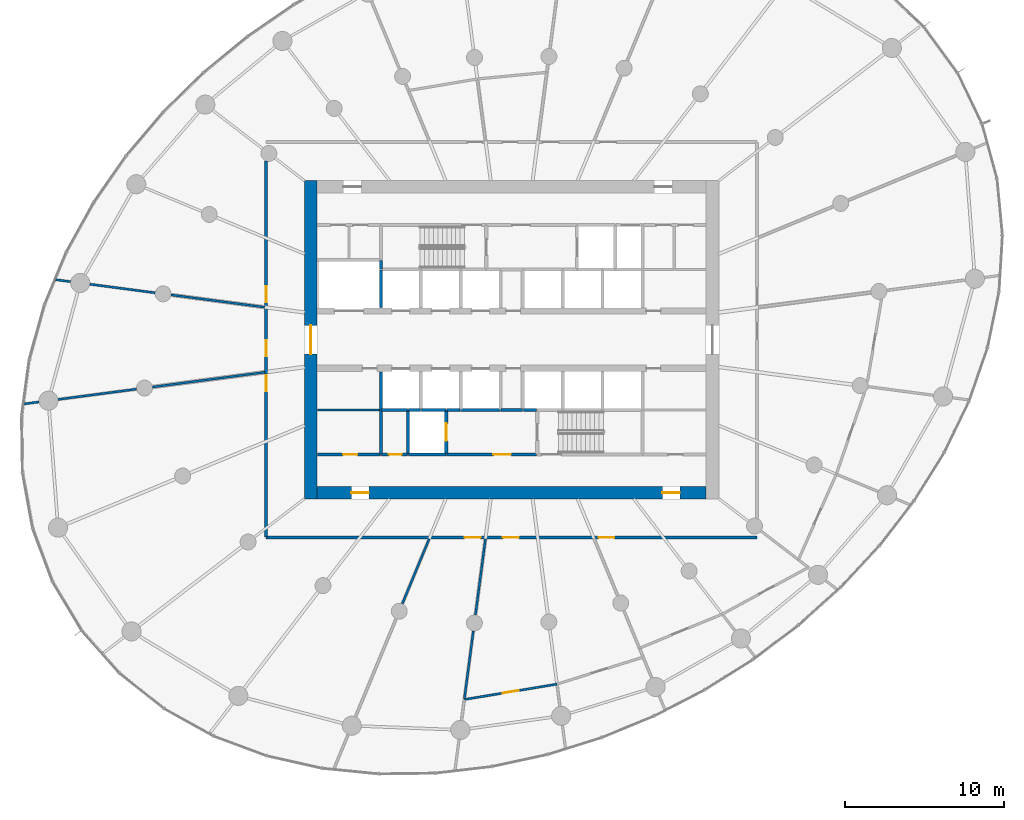
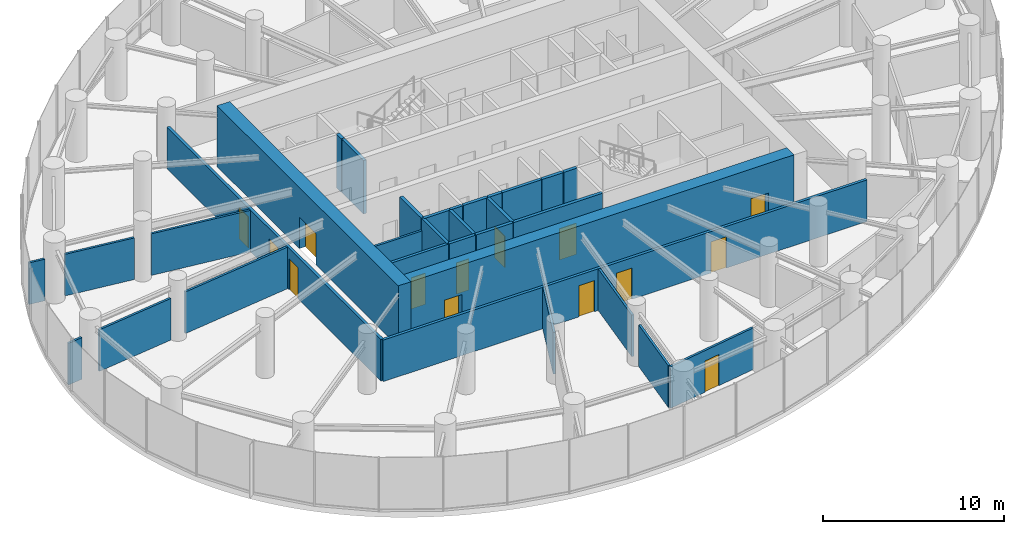
# One storey, part 10 of 17: 32 walls, 14 doors, 14 openings.
"""IFC4 building model written with IfcOpenShell, lengths in metres."""

from ifc_helpers import new_model, si_unit, direction, frame, frame_2d, origin, place, context, subcontext, project, spatial, rectangle, extrude, source, transform, mapped, material, layer, layer_set, type_object, element, fill, save


model = new_model("IFC4")

# Units and contexts
model_context = context("Model", 3, precision=1e-05, world=origin(), true_north=direction((0.0, 1.0)))
body_context = subcontext(model_context, "Body", "Model", "MODEL_VIEW")
ifc_project = project(units=[si_unit("LENGTHUNIT", "METRE"), si_unit("AREAUNIT", "SQUARE_METRE"), si_unit("VOLUMEUNIT", "CUBIC_METRE"), si_unit("PLANEANGLEUNIT", "RADIAN"), si_unit("MASSUNIT", "GRAM", prefix="KILO")], contexts=[model_context])

# Site, building, storey
site_placement = place(None, origin())
site = spatial("IfcSite", under=ifc_project, at=site_placement, CompositionType="ELEMENT")
building_placement = place(site_placement, origin())
building = spatial("IfcBuilding", under=site, at=building_placement, Name="Spindrift Exchange Tower", CompositionType="ELEMENT")
storey_placement = place(building_placement, frame((0.0, 0.0, 124.89990234375)))
storey = spatial("IfcBuildingStorey", under=building, at=storey_placement, Name="L29", CompositionType="ELEMENT", Elevation=124.89990234375)

# Wall, opening, door
ifc_material_1 = material(Name="Concrete 65 MPa", Category="concrete")
ifc_layer_1 = layer(ifc_material_1, 0.800048828125)
ifc_layer_set_1 = layer_set([ifc_layer_1], Name="RC Core Wall 800 Concrete 65 MPa")
wall_type_1 = type_object("IfcWallType", Name="RC Core Wall 800 Concrete 65 MPa", PredefinedType="SHEAR", material=ifc_layer_set_1)
wall_1_placement = place(storey_placement, frame((39.39990234375, 58.0, 0.0), z_axis=(0.0, 0.0, 1.0), x_axis=(0.0, -1.0, 0.0)))
wall_1 = element("IfcWall", 1, at=wall_1_placement, inside=storey, type_object=wall_type_1, Name="Core wall W L29", PredefinedType="SHEAR", context=body_context, shape_type="SweptSolid", body=[
    extrude(rectangle(XDim=20.0, YDim=0.800048828125, at=frame_2d((10.0, 0.0))), origin(), (0.0, 0.0, 1.0), 4.10009765625),
])
opening_1_placement = place(wall_1_placement, frame((9.10009765625, 0.0, 0.0)))
opening_1 = element("IfcOpeningElement", 2, at=opening_1_placement, cuts=wall_1, Name="Opening L29-D1", PredefinedType="OPENING", context=body_context, shape_type="SweptSolid", body=[
    extrude(rectangle(XDim=1.800048828125, YDim=2.10009765625, at=frame_2d((0.89990234375, 1.050048828125))), frame((0.0, 0.409912109375, 0.0), z_axis=(0.0, -1.0, 0.0), x_axis=(1.0, 0.0, 0.0)), (0.0, 0.0, 1.0), 0.820068359375),
])
ifc_material_2 = material(Name="Timber-core fire door", Category="wood")
door_type_1 = type_object("IfcDoorType", Name="DR-LOBBY-1800", OperationType="NOTDEFINED", PredefinedType="DOOR", material=ifc_material_2)
shared_shape_1 = source(origin(), body_context, "Body", "SweptSolid", [
    extrude(rectangle(XDim=1.800048828125, YDim=2.10009765625, at=frame_2d((0.89990234375, 1.050048828125))), frame((0.0, 0.02490234375, 0.0), z_axis=(0.0, -1.0, 0.0), x_axis=(1.0, 0.0, 0.0)), (0.0, 0.0, 1.0), 0.050048828125),
])
door_1_placement = place(opening_1_placement, origin())
door_1 = element("IfcDoor", 3, at=door_1_placement, inside=storey, type_object=door_type_1, Name="L29 Lobby door 1", OperationType="SINGLE_SWING_RIGHT", OverallHeight=2.10009765625, OverallWidth=1.800048828125, PredefinedType="DOOR", context=body_context, shape_type="MappedRepresentation", body=[
    mapped(shared_shape_1, transform((0.0, 0.0, 0.0), scale=1.0)),
])
fill(opening_1, door_1)

# Wall, openings, doors
wall_2_placement = place(storey_placement, frame((39.800048828125, 38.39990234375, 0.0), z_axis=(0.0, 0.0, 1.0), x_axis=(1.0, 0.0, 0.0)))
wall_2 = element("IfcWall", 4, at=wall_2_placement, inside=storey, type_object=wall_type_1, Name="Core wall S L29", PredefinedType="SHEAR", context=body_context, shape_type="SweptSolid", body=[
    extrude(rectangle(XDim=24.39990234375, YDim=0.800048828125, at=frame_2d((12.199951171875, 0.0))), origin(), (0.0, 0.0, 1.0), 4.10009765625),
])
opening_2_placement = place(wall_2_placement, frame((21.64990234375, 0.0, 0.0)))
opening_2 = element("IfcOpeningElement", 5, at=opening_2_placement, cuts=wall_2, Name="Opening L29-D22", PredefinedType="OPENING", context=body_context, shape_type="SweptSolid", body=[
    extrude(rectangle(XDim=1.10009765625, YDim=2.10009765625, at=frame_2d((0.550048828125, 1.050048828125))), frame((0.0, 0.409912109375, 0.0), z_axis=(0.0, -1.0, 0.0), x_axis=(1.0, 0.0, 0.0)), (0.0, 0.0, 1.0), 0.820068359375),
])
opening_3_placement = place(wall_2_placement, frame((2.14990234375, 0.0, 0.0)))
opening_3 = element("IfcOpeningElement", 6, at=opening_3_placement, cuts=wall_2, Name="Opening L29-D23", PredefinedType="OPENING", context=body_context, shape_type="SweptSolid", body=[
    extrude(rectangle(XDim=1.10009765625, YDim=2.10009765625, at=frame_2d((0.550048828125, 1.050048828125))), frame((0.0, 0.409912109375, 0.0), z_axis=(0.0, -1.0, 0.0), x_axis=(1.0, 0.0, 0.0)), (0.0, 0.0, 1.0), 0.820068359375),
])
ifc_material_3 = material(Name="Steel fire door", Category="steel")
door_type_2 = type_object("IfcDoorType", Name="DR-STAIR-1100", OperationType="NOTDEFINED", PredefinedType="DOOR", material=ifc_material_3)
shared_shape_2 = source(origin(), body_context, "Body", "SweptSolid", [
    extrude(rectangle(XDim=1.10009765625, YDim=2.10009765625, at=frame_2d((0.550048828125, 1.050048828125))), frame((0.0, 0.02490234375, 0.0), z_axis=(0.0, -1.0, 0.0), x_axis=(1.0, 0.0, 0.0)), (0.0, 0.0, 1.0), 0.050048828125),
])
door_2_placement = place(opening_2_placement, origin())
door_2 = element("IfcDoor", 7, at=door_2_placement, inside=storey, type_object=door_type_2, Name="L29 Stair door 22", OperationType="SINGLE_SWING_LEFT", OverallHeight=2.10009765625, OverallWidth=1.10009765625, PredefinedType="DOOR", context=body_context, shape_type="MappedRepresentation", body=[
    mapped(shared_shape_2, transform((0.0, 0.0, 0.0), scale=1.0)),
])
fill(opening_2, door_2)
door_3_placement = place(opening_3_placement, origin())
door_3 = element("IfcDoor", 8, at=door_3_placement, inside=storey, type_object=door_type_2, Name="L29 Stair door 23", OperationType="SINGLE_SWING_RIGHT", OverallHeight=2.10009765625, OverallWidth=1.10009765625, PredefinedType="DOOR", context=body_context, shape_type="MappedRepresentation", body=[
    mapped(shared_shape_2, transform((0.0, 0.0, 0.0), scale=1.0)),
])
fill(opening_3, door_3)

# Wall, opening, door
ifc_material_4 = material(Name="Fire-rated plasterboard partition", Category="gypsum")
ifc_layer_2 = layer(ifc_material_4, 0.179931640625)
ifc_layer_set_2 = layer_set([ifc_layer_2], Name="W-CORR-180")
wall_type_2 = type_object("IfcWallType", Name="W-CORR-180", PredefinedType="PARTITIONING", material=ifc_layer_set_2)
wall_3_placement = place(storey_placement, frame((39.820068359375, 40.800048828125, 0.0), z_axis=(0.0, 0.0, 1.0), x_axis=(1.0, 0.0, 0.0)))
wall_3 = element("IfcWall", 9, at=wall_3_placement, inside=storey, type_object=wall_type_2, Name="L29 Partition wall 63", PredefinedType="PARTITIONING", context=body_context, shape_type="SweptSolid", body=[
    extrude(rectangle(XDim=3.949951171875, YDim=0.179931640625, at=frame_2d((1.97509765625, 0.0))), origin(), (0.0, 0.0, 1.0), 3.60009765625),
])
opening_4_placement = place(wall_3_placement, frame((1.60009765625, 0.0, 0.0)))
opening_4 = element("IfcOpeningElement", 10, at=opening_4_placement, cuts=wall_3, Name="Opening L29-D46", PredefinedType="OPENING", context=body_context, shape_type="SweptSolid", body=[
    extrude(rectangle(XDim=0.89990234375, YDim=2.10009765625, at=frame_2d((0.449951171875, 1.050048828125))), frame((0.0, 0.099853515625, 0.0), z_axis=(0.0, -1.0, 0.0), x_axis=(1.0, 0.0, 0.0)), (0.0, 0.0, 1.0), 0.199951171875),
])
ifc_material_5 = material(Name="Steel access door", Category="steel")
door_type_3 = type_object("IfcDoorType", Name="DR-RISER-900", OperationType="NOTDEFINED", PredefinedType="DOOR", material=ifc_material_5)
shared_shape_3 = source(origin(), body_context, "Body", "SweptSolid", [
    extrude(rectangle(XDim=0.89990234375, YDim=2.10009765625, at=frame_2d((0.449951171875, 1.050048828125))), frame((0.0, 0.02490234375, 0.0), z_axis=(0.0, -1.0, 0.0), x_axis=(1.0, 0.0, 0.0)), (0.0, 0.0, 1.0), 0.050048828125),
])
door_4_placement = place(opening_4_placement, origin())
door_4 = element("IfcDoor", 11, at=door_4_placement, inside=storey, type_object=door_type_3, Name="L29 Riser door 46", OperationType="SINGLE_SWING_LEFT", OverallHeight=2.10009765625, OverallWidth=0.89990234375, PredefinedType="DOOR", context=body_context, shape_type="MappedRepresentation", body=[
    mapped(shared_shape_3, transform((0.0, 0.0, 0.0), scale=1.0)),
])
fill(opening_4, door_4)

ifc_layer_3 = layer(ifc_material_4, 0.139892578125)
ifc_layer_set_3 = layer_set([ifc_layer_3], Name="W-PART-140")
wall_type_3 = type_object("IfcWallType", Name="W-PART-140", PredefinedType="PARTITIONING", material=ifc_layer_set_3)
wall_4_placement = place(storey_placement, frame((54.84423828125, 26.39599609375, 0.0), z_axis=(0.0, 0.0, 1.0), x_axis=(-0.986521231728, -0.16363330758, 0.0)))
wall_4 = element("IfcWall", 12, at=wall_4_placement, inside=storey, type_object=wall_type_3, Name="L29 Partition wall 72", PredefinedType="PARTITIONING", context=body_context, shape_type="SweptSolid", body=[
    extrude(rectangle(XDim=5.894775390625, YDim=0.139892578125, at=frame_2d((2.947265625, 0.0))), origin(), (0.0, 0.0, 1.0), 2.800048828125),
])
opening_5_placement = place(wall_4_placement, frame((2.44482421875, 0.0, 0.0)))
opening_5 = element("IfcOpeningElement", 13, at=opening_5_placement, cuts=wall_4, Name="Opening L29-D32", PredefinedType="OPENING", context=body_context, shape_type="SweptSolid", body=[
    extrude(rectangle(XDim=1.0, YDim=2.10009765625, at=frame_2d((0.5, 1.050048828125))), frame((0.0, 0.079833984375, 0.0), z_axis=(0.0, -1.0, 0.0), x_axis=(1.0, 0.0, 0.0)), (0.0, 0.0, 1.0), 0.159912109375),
])
door_type_4 = type_object("IfcDoorType", Name="DR-ROOM-1000", OperationType="NOTDEFINED", PredefinedType="DOOR", material=ifc_material_2)
shared_shape_4 = source(origin(), body_context, "Body", "SweptSolid", [
    extrude(rectangle(XDim=1.0, YDim=2.10009765625, at=frame_2d((0.5, 1.050048828125))), frame((0.0, 0.02490234375, 0.0), z_axis=(0.0, -1.0, 0.0), x_axis=(1.0, 0.0, 0.0)), (0.0, 0.0, 1.0), 0.050048828125),
])
door_5_placement = place(opening_5_placement, origin())
door_5 = element("IfcDoor", 14, at=door_5_placement, inside=storey, type_object=door_type_4, Name="L29 Door 32", OperationType="SINGLE_SWING_LEFT", OverallHeight=2.10009765625, OverallWidth=1.0, PredefinedType="DOOR", context=body_context, shape_type="MappedRepresentation", body=[
    mapped(shared_shape_4, transform((0.0, 0.0, 0.0), scale=1.0)),
])
fill(opening_5, door_5)

# Walls
wall_5_placement = place(storey_placement, frame((43.77001953125, 43.60009765625, 0.0), z_axis=(0.0, 0.0, 1.0), x_axis=(-1.0, 0.0, 0.0)))
element("IfcWall", 15, at=wall_5_placement, inside=storey, type_object=wall_type_3, Name="L29 Partition wall 93", PredefinedType="PARTITIONING", context=body_context, shape_type="SweptSolid", body=[
    extrude(rectangle(XDim=3.949951171875, YDim=0.139892578125, at=frame_2d((1.97509765625, 0.0))), origin(), (0.0, 0.0, 1.0), 2.800048828125),
])
ifc_layer_4 = layer(ifc_material_4, 0.139892578125)
ifc_layer_set_4 = layer_set([ifc_layer_4], Name="W-PLANT-140")
wall_type_4 = type_object("IfcWallType", Name="W-PLANT-140", PredefinedType="PARTITIONING", material=ifc_layer_set_4)
wall_6_placement = place(storey_placement, frame((36.510009765625, 45.960693359375, 0.0), z_axis=(0.0, 0.0, 1.0), x_axis=(-0.99144622305, -0.130515848849, 0.0)))
element("IfcWall", 16, at=wall_6_placement, inside=storey, type_object=wall_type_4, Name="L29 Partition wall 67", PredefinedType="PARTITIONING", context=body_context, shape_type="SweptSolid", body=[
    extrude(rectangle(XDim=7.1044921875, YDim=0.139892578125, at=frame_2d((3.55224609375, 0.0))), origin(), (0.0, 0.0, 1.0), 2.800048828125),
])
wall_7_placement = place(storey_placement, frame((36.510009765625, 50.039306640625, 0.0), z_axis=(0.0, 0.0, 1.0), x_axis=(-0.991445034615, 0.130524876315, 0.0)))
element("IfcWall", 17, at=wall_7_placement, inside=storey, type_object=wall_type_4, Name="L29 Partition wall 71", PredefinedType="PARTITIONING", context=body_context, shape_type="SweptSolid", body=[
    extrude(rectangle(XDim=5.923828125, YDim=0.139892578125, at=frame_2d((2.9619140625, 0.0))), origin(), (0.0, 0.0, 1.0), 2.800048828125),
])
wall_8_placement = place(storey_placement, frame((28.466064453125, 44.901611328125, 0.0), z_axis=(0.0, 0.0, 1.0), x_axis=(-0.991443414541, -0.130537181533, 0.0)))
element("IfcWall", 18, at=wall_8_placement, inside=storey, type_object=wall_type_4, Name="L29 Partition wall 80", PredefinedType="PARTITIONING", context=body_context, shape_type="SweptSolid", body=[
    extrude(rectangle(XDim=4.965576171875, YDim=0.139892578125, at=frame_2d((2.48291015625, 0.0))), origin(), (0.0, 0.0, 1.0), 2.800048828125),
])
wall_9_placement = place(storey_placement, frame((50.355712890625, 35.510009765625, 0.0), z_axis=(0.0, 0.0, 1.0), x_axis=(-0.130523979823, -0.991445152639, 0.0)))
element("IfcWall", 19, at=wall_9_placement, inside=storey, type_object=wall_type_4, Name="L29 Partition wall 82", PredefinedType="PARTITIONING", context=body_context, shape_type="SweptSolid", body=[
    extrude(rectangle(XDim=4.818359375, YDim=0.139892578125, at=frame_2d((2.4091796875, 0.0))), origin(), (0.0, 0.0, 1.0), 2.800048828125),
])
wall_10_placement = place(storey_placement, frame((46.826416015625, 35.510009765625, 0.0), z_axis=(0.0, 0.0, 1.0), x_axis=(-0.382672831764, -0.923883923353, 0.0)))
element("IfcWall", 20, at=wall_10_placement, inside=storey, type_object=wall_type_4, Name="L29 Partition wall 84", PredefinedType="PARTITIONING", context=body_context, shape_type="SweptSolid", body=[
    extrude(rectangle(XDim=4.410400390625, YDim=0.139892578125, at=frame_2d((2.205078125, 0.0))), origin(), (0.0, 0.0, 1.0), 2.800048828125),
])
wall_11_placement = place(storey_placement, frame((49.594970703125, 29.732666015625, 0.0), z_axis=(0.0, 0.0, 1.0), x_axis=(-0.130506335876, -0.991447475309, 0.0)))
element("IfcWall", 21, at=wall_11_placement, inside=storey, type_object=wall_type_4, Name="L29 Partition wall 89", PredefinedType="PARTITIONING", context=body_context, shape_type="SweptSolid", body=[
    extrude(rectangle(XDim=4.26513671875, YDim=0.139892578125, at=frame_2d((2.132568359375, 0.0))), origin(), (0.0, 0.0, 1.0), 2.800048828125),
])
wall_12_placement = place(storey_placement, frame((29.63671875, 50.944091796875, 0.0), z_axis=(0.0, 0.0, 1.0), x_axis=(-0.991445054296, 0.130524726824, 0.0)))
element("IfcWall", 22, at=wall_12_placement, inside=storey, type_object=wall_type_4, Name="L29 Partition wall 90", PredefinedType="PARTITIONING", context=body_context, shape_type="SweptSolid", body=[
    extrude(rectangle(XDim=4.137451171875, YDim=0.139892578125, at=frame_2d((2.06884765625, 0.0))), origin(), (0.0, 0.0, 1.0), 2.800048828125),
])
wall_13_placement = place(storey_placement, frame((24.336181640625, 51.64208984375, 0.0), z_axis=(0.0, 0.0, 1.0), x_axis=(-0.991449038396, 0.130494460661, 0.0)))
element("IfcWall", 23, at=wall_13_placement, inside=storey, type_object=wall_type_4, Name="L29 Partition wall 112", PredefinedType="PARTITIONING", context=body_context, shape_type="SweptSolid", body=[
    extrude(rectangle(XDim=0.948486328125, YDim=0.139892578125, at=frame_2d((0.47412109375, 0.0))), origin(), (0.0, 0.0, 1.0), 2.800048828125),
])
wall_14_placement = place(storey_placement, frame((22.344482421875, 44.095703125, 0.0), z_axis=(0.0, 0.0, 1.0), x_axis=(-0.991460558593, -0.130406904551, 0.0)))
element("IfcWall", 24, at=wall_14_placement, inside=storey, type_object=wall_type_4, Name="L29 Partition wall 114", PredefinedType="PARTITIONING", context=body_context, shape_type="SweptSolid", body=[
    extrude(rectangle(XDim=0.928466796875, YDim=0.139892578125, at=frame_2d((0.46435546875, 0.0))), origin(), (0.0, 0.0, 1.0), 2.800048828125),
])

# Wall, openings, doors
ifc_layer_5 = layer(ifc_material_4, 0.179931640625)
ifc_layer_set_5 = layer_set([ifc_layer_5], Name="W-PLANT-180")
wall_type_5 = type_object("IfcWallType", Name="W-PLANT-180", PredefinedType="PARTITIONING", material=ifc_layer_set_5)
wall_15_placement = place(storey_placement, frame((67.39990234375, 35.60009765625, 0.0), z_axis=(0.0, 0.0, 1.0), x_axis=(-1.0, 0.0, 0.0)))
wall_15 = element("IfcWall", 25, at=wall_15_placement, inside=storey, type_object=wall_type_5, Name="L29 Partition wall 57", PredefinedType="PARTITIONING", context=body_context, shape_type="SweptSolid", body=[
    extrude(rectangle(XDim=30.7998046875, YDim=0.179931640625, at=frame_2d((15.39990234375, 0.0))), origin(), (0.0, 0.0, 1.0), 2.800048828125),
])
opening_6_placement = place(wall_15_placement, frame((17.35009765625, 0.0, 0.0)))
opening_6 = element("IfcOpeningElement", 26, at=opening_6_placement, cuts=wall_15, Name="Opening L29-D30", PredefinedType="OPENING", context=body_context, shape_type="SweptSolid", body=[
    extrude(rectangle(XDim=1.0, YDim=2.10009765625, at=frame_2d((0.5, 1.050048828125))), frame((0.0, 0.099853515625, 0.0), z_axis=(0.0, -1.0, 0.0), x_axis=(1.0, 0.0, 0.0)), (0.0, 0.0, 1.0), 0.199951171875),
])
opening_7_placement = place(wall_15_placement, frame((14.949951171875, 0.0, 0.0)))
opening_7 = element("IfcOpeningElement", 27, at=opening_7_placement, cuts=wall_15, Name="Opening L29-D31", PredefinedType="OPENING", context=body_context, shape_type="SweptSolid", body=[
    extrude(rectangle(XDim=1.0, YDim=2.10009765625, at=frame_2d((0.5, 1.050048828125))), frame((0.0, 0.099853515625, 0.0), z_axis=(0.0, -1.0, 0.0), x_axis=(1.0, 0.0, 0.0)), (0.0, 0.0, 1.0), 0.199951171875),
])
opening_8_placement = place(wall_15_placement, frame((8.949951171875, 0.0, 0.0)))
opening_8 = element("IfcOpeningElement", 28, at=opening_8_placement, cuts=wall_15, Name="Opening L29-D34", PredefinedType="OPENING", context=body_context, shape_type="SweptSolid", body=[
    extrude(rectangle(XDim=1.0, YDim=2.10009765625, at=frame_2d((0.5, 1.050048828125))), frame((0.0, 0.099853515625, 0.0), z_axis=(0.0, -1.0, 0.0), x_axis=(1.0, 0.0, 0.0)), (0.0, 0.0, 1.0), 0.199951171875),
])
door_6_placement = place(opening_6_placement, origin())
door_6 = element("IfcDoor", 29, at=door_6_placement, inside=storey, type_object=door_type_4, Name="L29 Door 30", OperationType="SINGLE_SWING_LEFT", OverallHeight=2.10009765625, OverallWidth=1.0, PredefinedType="DOOR", context=body_context, shape_type="MappedRepresentation", body=[
    mapped(shared_shape_4, transform((0.0, 0.0, 0.0), scale=1.0)),
])
fill(opening_6, door_6)
door_7_placement = place(opening_7_placement, origin())
door_7 = element("IfcDoor", 30, at=door_7_placement, inside=storey, type_object=door_type_4, Name="L29 Door 31", OperationType="SINGLE_SWING_RIGHT", OverallHeight=2.10009765625, OverallWidth=1.0, PredefinedType="DOOR", context=body_context, shape_type="MappedRepresentation", body=[
    mapped(shared_shape_4, transform((0.0, 0.0, 0.0), scale=1.0)),
])
fill(opening_7, door_7)
door_8_placement = place(opening_8_placement, origin())
door_8 = element("IfcDoor", 31, at=door_8_placement, inside=storey, type_object=door_type_4, Name="L29 Door 34", OperationType="SINGLE_SWING_LEFT", OverallHeight=2.10009765625, OverallWidth=1.0, PredefinedType="DOOR", context=body_context, shape_type="MappedRepresentation", body=[
    mapped(shared_shape_4, transform((0.0, 0.0, 0.0), scale=1.0)),
])
fill(opening_8, door_8)

wall_16_placement = place(storey_placement, frame((36.60009765625, 35.6298828125, 0.0), z_axis=(0.0, 0.0, 1.0), x_axis=(0.0, 1.0, 0.0)))
wall_16 = element("IfcWall", 32, at=wall_16_placement, inside=storey, type_object=wall_type_5, Name="L29 Partition wall 60", PredefinedType="PARTITIONING", context=body_context, shape_type="SweptSolid", body=[
    extrude(rectangle(XDim=23.58251953125, YDim=0.179931640625, at=frame_2d((11.791259765625, 0.0))), origin(), (0.0, 0.0, 1.0), 2.800048828125),
])
opening_9_placement = place(wall_16_placement, frame((14.732421875, 0.0, 0.0)))
opening_9 = element("IfcOpeningElement", 33, at=opening_9_placement, cuts=wall_16, Name="Opening L29-D26", PredefinedType="OPENING", context=body_context, shape_type="SweptSolid", body=[
    extrude(rectangle(XDim=1.0, YDim=2.10009765625, at=frame_2d((0.5, 1.050048828125))), frame((0.0, 0.099853515625, 0.0), z_axis=(0.0, -1.0, 0.0), x_axis=(1.0, 0.0, 0.0)), (0.0, 0.0, 1.0), 0.199951171875),
])
opening_10_placement = place(wall_16_placement, frame((11.33251953125, 0.0, 0.0)))
opening_10 = element("IfcOpeningElement", 34, at=opening_10_placement, cuts=wall_16, Name="Opening L29-D28", PredefinedType="OPENING", context=body_context, shape_type="SweptSolid", body=[
    extrude(rectangle(XDim=1.0, YDim=2.10009765625, at=frame_2d((0.5, 1.050048828125))), frame((0.0, 0.099853515625, 0.0), z_axis=(0.0, -1.0, 0.0), x_axis=(1.0, 0.0, 0.0)), (0.0, 0.0, 1.0), 0.199951171875),
])
opening_11_placement = place(wall_16_placement, frame((9.132568359375, 0.0, 0.0)))
opening_11 = element("IfcOpeningElement", 35, at=opening_11_placement, cuts=wall_16, Name="Opening L29-D29", PredefinedType="OPENING", context=body_context, shape_type="SweptSolid", body=[
    extrude(rectangle(XDim=1.0, YDim=2.10009765625, at=frame_2d((0.5, 1.050048828125))), frame((0.0, 0.099853515625, 0.0), z_axis=(0.0, -1.0, 0.0), x_axis=(1.0, 0.0, 0.0)), (0.0, 0.0, 1.0), 0.199951171875),
])
door_9_placement = place(opening_9_placement, origin())
door_9 = element("IfcDoor", 36, at=door_9_placement, inside=storey, type_object=door_type_4, Name="L29 Door 26", OperationType="SINGLE_SWING_LEFT", OverallHeight=2.10009765625, OverallWidth=1.0, PredefinedType="DOOR", context=body_context, shape_type="MappedRepresentation", body=[
    mapped(shared_shape_4, transform((0.0, 0.0, 0.0), scale=1.0)),
])
fill(opening_9, door_9)
door_10_placement = place(opening_10_placement, origin())
door_10 = element("IfcDoor", 37, at=door_10_placement, inside=storey, type_object=door_type_4, Name="L29 Door 28", OperationType="SINGLE_SWING_LEFT", OverallHeight=2.10009765625, OverallWidth=1.0, PredefinedType="DOOR", context=body_context, shape_type="MappedRepresentation", body=[
    mapped(shared_shape_4, transform((0.0, 0.0, 0.0), scale=1.0)),
])
fill(opening_10, door_10)
door_11_placement = place(opening_11_placement, origin())
door_11 = element("IfcDoor", 38, at=door_11_placement, inside=storey, type_object=door_type_4, Name="L29 Door 29", OperationType="SINGLE_SWING_RIGHT", OverallHeight=2.10009765625, OverallWidth=1.0, PredefinedType="DOOR", context=body_context, shape_type="MappedRepresentation", body=[
    mapped(shared_shape_4, transform((0.0, 0.0, 0.0), scale=1.0)),
])
fill(opening_11, door_11)

# Walls
ifc_material_6 = material(Name="Concrete 40 MPa", Category="concrete")
ifc_layer_6 = layer(ifc_material_6, 0.199951171875)
ifc_layer_set_6 = layer_set([ifc_layer_6], Name="W-SHAFT-200")
wall_type_6 = type_object("IfcWallType", Name="W-SHAFT-200", PredefinedType="SOLIDWALL", material=ifc_layer_set_6)
for number, where, z_axis, x_axis, name in (
    (39, (43.800048828125, 43.60009765625, 0.0), (0.0, 0.0, 1.0), (0.0, -1.0, 0.0), "L29 Shaft wall 6"),
    (40, (45.5, 43.60009765625, 0.0), (0.0, 0.0, 1.0), (0.0, -1.0, 0.0), "L29 Shaft wall 7"),
):
    element("IfcWall", number, at=place(storey_placement, frame(where, z_axis=z_axis, x_axis=x_axis)), inside=storey, type_object=wall_type_6, Name=name, PredefinedType="SOLIDWALL", context=body_context, shape_type="SweptSolid", body=[
        extrude(rectangle(XDim=2.800048828125, YDim=0.199951171875, at=frame_2d((1.39990234375, 0.0))), origin(), (0.0, 0.0, 1.0), 3.60009765625),
    ])

# Wall, opening, door
wall_17_placement = place(storey_placement, frame((47.89990234375, 40.830078125, 0.0), z_axis=(0.0, 0.0, 1.0), x_axis=(0.0, 1.0, 0.0)))
wall_17 = element("IfcWall", 41, at=wall_17_placement, inside=storey, type_object=wall_type_6, Name="L29 Shaft wall 8", PredefinedType="SOLIDWALL", context=body_context, shape_type="SweptSolid", body=[
    extrude(rectangle(XDim=2.77001953125, YDim=0.199951171875, at=frame_2d((1.385009765625, 0.0))), origin(), (0.0, 0.0, 1.0), 3.60009765625),
])
opening_12_placement = place(wall_17_placement, frame((0.820068359375, 0.0, 0.0)))
opening_12 = element("IfcOpeningElement", 42, at=opening_12_placement, cuts=wall_17, Name="Opening L29-D10", PredefinedType="OPENING", context=body_context, shape_type="SweptSolid", body=[
    extrude(rectangle(XDim=1.10009765625, YDim=2.10009765625, at=frame_2d((0.550048828125, 1.050048828125))), frame((0.0, 0.10986328125, 0.0), z_axis=(0.0, -1.0, 0.0), x_axis=(1.0, 0.0, 0.0)), (0.0, 0.0, 1.0), 0.219970703125),
])
ifc_material_7 = material(Name="Stainless steel landing door", Category="steel")
door_type_5 = type_object("IfcDoorType", Name="DR-LANDING-1100-SL", OperationType="DOUBLE_DOOR_SLIDING", PredefinedType="USERDEFINED", material=ifc_material_7)
shared_shape_5 = source(origin(), body_context, "Body", "SweptSolid", [
    extrude(rectangle(XDim=1.10009765625, YDim=2.10009765625, at=frame_2d((0.550048828125, 1.050048828125))), frame((0.0, 0.02490234375, 0.0), z_axis=(0.0, -1.0, 0.0), x_axis=(1.0, 0.0, 0.0)), (0.0, 0.0, 1.0), 0.050048828125),
])
door_12_placement = place(opening_12_placement, origin())
door_12 = element("IfcDoor", 43, at=door_12_placement, inside=storey, type_object=door_type_5, Name="L29 Lift landing door 10", ObjectType="LANDING DOOR", OperationType="DOUBLE_DOOR_SLIDING", OverallHeight=2.10009765625, OverallWidth=1.10009765625, PredefinedType="USERDEFINED", context=body_context, shape_type="MappedRepresentation", body=[
    mapped(shared_shape_5, transform((0.0, 0.0, 0.0), scale=1.0)),
])
fill(opening_12, door_12)

# Walls
wall_18_placement = place(storey_placement, frame((48.800048828125, 43.60009765625, 0.0), z_axis=(0.0, 0.0, 1.0), x_axis=(1.0, 0.0, 0.0)))
element("IfcWall", 44, at=wall_18_placement, inside=storey, type_object=wall_type_6, Name="L29 Shaft wall 17", PredefinedType="SOLIDWALL", context=body_context, shape_type="SweptSolid", body=[
    extrude(rectangle(XDim=2.5, YDim=0.199951171875, at=frame_2d((1.25, 0.0))), origin(), (0.0, 0.0, 1.0), 3.60009765625),
])
wall_19_placement = place(storey_placement, frame((45.530029296875, 40.800048828125, 0.0), z_axis=(0.0, 0.0, 1.0), x_axis=(1.0, 0.0, 0.0)))
element("IfcWall", 45, at=wall_19_placement, inside=storey, type_object=wall_type_6, Name="L29 Shaft wall 21", PredefinedType="SOLIDWALL", context=body_context, shape_type="SweptSolid", body=[
    extrude(rectangle(XDim=2.340087890625, YDim=0.199951171875, at=frame_2d((1.169921875, 0.0))), origin(), (0.0, 0.0, 1.0), 3.60009765625),
])
wall_20_placement = place(storey_placement, frame((43.800048828125, 45.989990234375, 0.0), z_axis=(0.0, 0.0, 1.0), x_axis=(0.0, -1.0, 0.0)))
element("IfcWall", 46, at=wall_20_placement, inside=storey, type_object=wall_type_6, Name="L29 Shaft wall 23", PredefinedType="SOLIDWALL", context=body_context, shape_type="SweptSolid", body=[
    extrude(rectangle(XDim=2.360107421875, YDim=0.199951171875, at=frame_2d((1.18017578125, 0.0))), origin(), (0.0, 0.0, 1.0), 3.60009765625),
])
wall_21_placement = place(storey_placement, frame((43.830078125, 43.60009765625, 0.0), z_axis=(0.0, 0.0, 1.0), x_axis=(1.0, 0.0, 0.0)))
element("IfcWall", 47, at=wall_21_placement, inside=storey, type_object=wall_type_6, Name="L29 Shaft wall 40", PredefinedType="SOLIDWALL", context=body_context, shape_type="SweptSolid", body=[
    extrude(rectangle(XDim=1.639892578125, YDim=0.199951171875, at=frame_2d((0.81982421875, 0.0))), origin(), (0.0, 0.0, 1.0), 3.60009765625),
])

# Wall, opening, door
wall_22_placement = place(storey_placement, frame((43.830078125, 40.800048828125, 0.0), z_axis=(0.0, 0.0, 1.0), x_axis=(1.0, 0.0, 0.0)))
wall_22 = element("IfcWall", 48, at=wall_22_placement, inside=storey, type_object=wall_type_6, Name="L29 Shaft wall 41", PredefinedType="SOLIDWALL", context=body_context, shape_type="SweptSolid", body=[
    extrude(rectangle(XDim=1.639892578125, YDim=0.199951171875, at=frame_2d((0.81982421875, 0.0))), origin(), (0.0, 0.0, 1.0), 3.60009765625),
])
opening_13_placement = place(wall_22_placement, frame((0.469970703125, 0.0, 0.0)))
opening_13 = element("IfcOpeningElement", 49, at=opening_13_placement, cuts=wall_22, Name="Opening L29-D19", PredefinedType="OPENING", context=body_context, shape_type="SweptSolid", body=[
    extrude(rectangle(XDim=0.800048828125, YDim=2.10009765625, at=frame_2d((0.39990234375, 1.050048828125))), frame((0.0, 0.10986328125, 0.0), z_axis=(0.0, -1.0, 0.0), x_axis=(1.0, 0.0, 0.0)), (0.0, 0.0, 1.0), 0.219970703125),
])
door_type_6 = type_object("IfcDoorType", Name="DR-RISER-800", OperationType="NOTDEFINED", PredefinedType="DOOR", material=ifc_material_5)
shared_shape_6 = source(origin(), body_context, "Body", "SweptSolid", [
    extrude(rectangle(XDim=0.800048828125, YDim=2.10009765625, at=frame_2d((0.39990234375, 1.050048828125))), frame((0.0, 0.02490234375, 0.0), z_axis=(0.0, -1.0, 0.0), x_axis=(1.0, 0.0, 0.0)), (0.0, 0.0, 1.0), 0.050048828125),
])
door_13_placement = place(opening_13_placement, origin())
door_13 = element("IfcDoor", 50, at=door_13_placement, inside=storey, type_object=door_type_6, Name="L29 Riser door 19", OperationType="SINGLE_SWING_RIGHT", OverallHeight=2.10009765625, OverallWidth=0.800048828125, PredefinedType="DOOR", context=body_context, shape_type="MappedRepresentation", body=[
    mapped(shared_shape_6, transform((0.0, 0.0, 0.0), scale=1.0)),
])
fill(opening_13, door_13)

# Walls
wall_23_placement = place(storey_placement, frame((46.330078125, 43.60009765625, 0.0), z_axis=(0.0, 0.0, 1.0), x_axis=(1.0, 0.0, 0.0)))
element("IfcWall", 51, at=wall_23_placement, inside=storey, type_object=wall_type_6, Name="L29 Shaft wall 44", PredefinedType="SOLIDWALL", context=body_context, shape_type="SweptSolid", body=[
    extrude(rectangle(XDim=1.5400390625, YDim=0.199951171875, at=frame_2d((0.77001953125, 0.0))), origin(), (0.0, 0.0, 1.0), 3.60009765625),
])
wall_24_placement = place(storey_placement, frame((52.669921875, 43.60009765625, 0.0), z_axis=(0.0, 0.0, 1.0), x_axis=(-1.0, 0.0, 0.0)))
element("IfcWall", 52, at=wall_24_placement, inside=storey, type_object=wall_type_6, Name="L29 Shaft wall 48", PredefinedType="SOLIDWALL", context=body_context, shape_type="SweptSolid", body=[
    extrude(rectangle(XDim=1.33984375, YDim=0.199951171875, at=frame_2d((0.669921875, 0.0))), origin(), (0.0, 0.0, 1.0), 3.60009765625),
])
wall_25_placement = place(storey_placement, frame((47.929931640625, 43.60009765625, 0.0), z_axis=(0.0, 0.0, 1.0), x_axis=(1.0, 0.0, 0.0)))
element("IfcWall", 53, at=wall_25_placement, inside=storey, type_object=wall_type_6, Name="L29 Shaft wall 50", PredefinedType="SOLIDWALL", context=body_context, shape_type="SweptSolid", body=[
    extrude(rectangle(XDim=0.840087890625, YDim=0.199951171875, at=frame_2d((0.419921875, 0.0))), origin(), (0.0, 0.0, 1.0), 3.60009765625),
])
wall_26_placement = place(storey_placement, frame((45.530029296875, 43.60009765625, 0.0), z_axis=(0.0, 0.0, 1.0), x_axis=(1.0, 0.0, 0.0)))
element("IfcWall", 54, at=wall_26_placement, inside=storey, type_object=wall_type_6, Name="L29 Shaft wall 54", PredefinedType="SOLIDWALL", context=body_context, shape_type="SweptSolid", body=[
    extrude(rectangle(XDim=0.739990234375, YDim=0.199951171875, at=frame_2d((0.3701171875, 0.0))), origin(), (0.0, 0.0, 1.0), 3.60009765625),
])

# Wall, opening, door
ifc_layer_7 = layer(ifc_material_6, 0.199951171875)
ifc_layer_set_7 = layer_set([ifc_layer_7], Name="W-SHAFT-200-LB")
wall_type_7 = type_object("IfcWallType", Name="W-SHAFT-200-LB", PredefinedType="SOLIDWALL", material=ifc_layer_set_7)
wall_27_placement = place(storey_placement, frame((47.89990234375, 40.800048828125, 0.0), z_axis=(0.0, 0.0, 1.0), x_axis=(1.0, 0.0, 0.0)))
wall_27 = element("IfcWall", 55, at=wall_27_placement, inside=storey, type_object=wall_type_7, Name="L29 Shaft wall 3", PredefinedType="SOLIDWALL", context=body_context, shape_type="SweptSolid", body=[
    extrude(rectangle(XDim=5.670166015625, YDim=0.199951171875, at=frame_2d((2.8349609375, 0.0))), origin(), (0.0, 0.0, 1.0), 3.60009765625),
])
opening_14_placement = place(wall_27_placement, frame((2.949951171875, 0.0, 0.0)))
opening_14 = element("IfcOpeningElement", 56, at=opening_14_placement, cuts=wall_27, Name="Opening L29-D18", PredefinedType="OPENING", context=body_context, shape_type="SweptSolid", body=[
    extrude(rectangle(XDim=1.10009765625, YDim=2.10009765625, at=frame_2d((0.550048828125, 1.050048828125))), frame((0.0, 0.10986328125, 0.0), z_axis=(0.0, -1.0, 0.0), x_axis=(1.0, 0.0, 0.0)), (0.0, 0.0, 1.0), 0.219970703125),
])
door_type_7 = type_object("IfcDoorType", Name="DR-LOBBY-1100", OperationType="NOTDEFINED", PredefinedType="DOOR", material=ifc_material_2)
shared_shape_7 = source(origin(), body_context, "Body", "SweptSolid", [
    extrude(rectangle(XDim=1.10009765625, YDim=2.10009765625, at=frame_2d((0.550048828125, 1.050048828125))), frame((0.0, 0.02490234375, 0.0), z_axis=(0.0, -1.0, 0.0), x_axis=(1.0, 0.0, 0.0)), (0.0, 0.0, 1.0), 0.050048828125),
])
door_14_placement = place(opening_14_placement, origin())
door_14 = element("IfcDoor", 57, at=door_14_placement, inside=storey, type_object=door_type_7, Name="L29 Lobby door 18", OperationType="SINGLE_SWING_LEFT", OverallHeight=2.10009765625, OverallWidth=1.10009765625, PredefinedType="DOOR", context=body_context, shape_type="MappedRepresentation", body=[
    mapped(shared_shape_7, transform((0.0, 0.0, 0.0), scale=1.0)),
])
fill(opening_14, door_14)

# Walls
wall_28_placement = place(storey_placement, frame((43.800048828125, 52.3701171875, 0.0), z_axis=(0.0, 0.0, 1.0), x_axis=(0.0, -1.0, 0.0)))
element("IfcWall", 58, at=wall_28_placement, inside=storey, type_object=wall_type_7, Name="L29 Shaft wall 24", PredefinedType="SOLIDWALL", context=body_context, shape_type="SweptSolid", body=[
    extrude(rectangle(XDim=2.360107421875, YDim=0.199951171875, at=frame_2d((1.18017578125, 0.0))), origin(), (0.0, 0.0, 1.0), 3.60009765625),
])
wall_29_placement = place(storey_placement, frame((52.72998046875, 43.60009765625, 0.0), z_axis=(0.0, 0.0, 1.0), x_axis=(1.0, 0.0, 0.0)))
element("IfcWall", 59, at=wall_29_placement, inside=storey, type_object=wall_type_7, Name="L29 Shaft wall 52", PredefinedType="SOLIDWALL", context=body_context, shape_type="SweptSolid", body=[
    extrude(rectangle(XDim=0.840087890625, YDim=0.199951171875, at=frame_2d((0.419921875, 0.0))), origin(), (0.0, 0.0, 1.0), 3.60009765625),
])
wall_30_placement = place(storey_placement, frame((43.800048828125, 52.429931640625, 0.0), z_axis=(0.0, 0.0, 1.0), x_axis=(0.0, 1.0, 0.0)))
element("IfcWall", 60, at=wall_30_placement, inside=storey, type_object=wall_type_7, Name="L29 Shaft wall 56", PredefinedType="SOLIDWALL", context=body_context, shape_type="SweptSolid", body=[
    extrude(rectangle(XDim=0.5400390625, YDim=0.199951171875, at=frame_2d((0.27001953125, 0.0))), origin(), (0.0, 0.0, 1.0), 3.60009765625),
])

save(model, "model.ifc")
